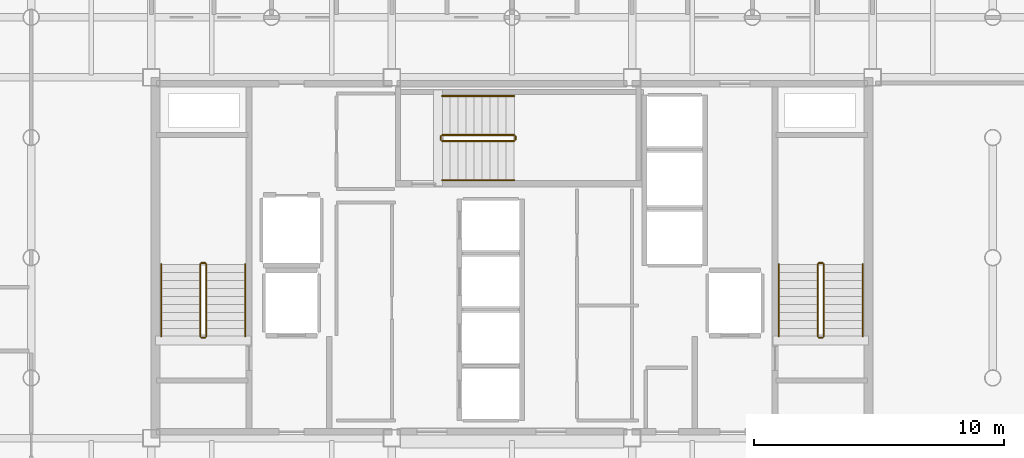
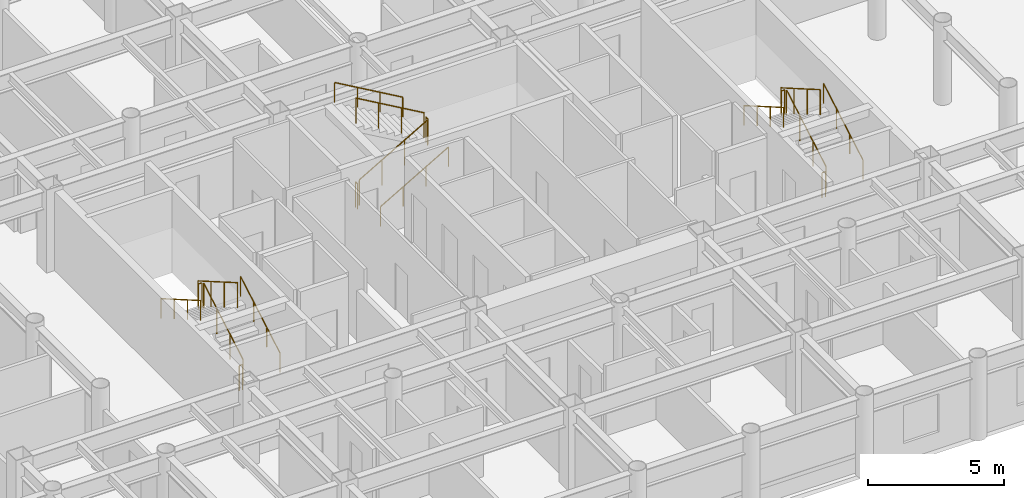
# One storey, part 20 of 20: 18 railings.
"""IFC4 building model written with IfcOpenShell, lengths in metres."""

from ifc_helpers import new_model, si_unit, direction, frame, origin, origin_2d, place, context, subcontext, project, spatial, circle, extrude, material, layer, layer_set, type_object, element, save


model = new_model("IFC4")

# Units and contexts
model_context = context("Model", 3, precision=1e-05, world=origin(), true_north=direction((0.0, 1.0)))
body_context = subcontext(model_context, "Body", "Model", "MODEL_VIEW")
ifc_project = project(units=[si_unit("LENGTHUNIT", "METRE"), si_unit("AREAUNIT", "SQUARE_METRE"), si_unit("VOLUMEUNIT", "CUBIC_METRE"), si_unit("PLANEANGLEUNIT", "RADIAN"), si_unit("MASSUNIT", "GRAM", prefix="KILO")], contexts=[model_context])

# Site, building, storey
site_placement = place(None, origin())
site = spatial("IfcSite", under=ifc_project, at=site_placement, CompositionType="ELEMENT")
building_placement = place(site_placement, origin())
building = spatial("IfcBuilding", under=site, at=building_placement, Name="Kallvorn Hotel Tower", CompositionType="ELEMENT")
storey_placement = place(building_placement, frame((0.0, 0.0, 132.199951171875)))
storey = spatial("IfcBuildingStorey", under=building, at=storey_placement, Name="L32", CompositionType="ELEMENT", Elevation=132.199951171875)

# Railings
ifc_material_1 = material(Name="Brushed stainless-steel tubular railing", Category="steel")
ifc_layer_1 = layer(ifc_material_1, 0.050048828125)
ifc_layer_set_1 = layer_set([ifc_layer_1], Name="RL_STAIR_GUARD")
railing_type_1 = type_object("IfcRailingType", Name="RL_STAIR_GUARD", PredefinedType="GUARDRAIL", material=ifc_layer_set_1)
railing_1_placement = place(storey_placement, frame((-12.2099609375, -3.139892578125, 0.18505859375)))
element("IfcRailing", 1, at=railing_1_placement, inside=storey, type_object=railing_type_1, Name="L32 ST1 stair guard 1", PredefinedType="GUARDRAIL", context=body_context, shape_type="SweptSolid", body=[
    extrude(circle(Radius=0.02392578125, at=origin_2d()), frame((0.0, 0.0, 1.1259765625), z_axis=(0.0, 0.865720918037, 0.500527014328), x_axis=(-1.0, 0.0, 0.0)), (0.0, 0.0, 1.0), 3.32666015625),
    extrude(circle(Radius=0.02099609375, at=origin_2d()), origin(), (0.0, 0.0, 1.0), 1.101806640625),
    extrude(circle(Radius=0.02099609375, at=origin_2d()), frame((0.0, 0.9599609375, 0.554931640625)), (0.0, 0.0, 1.0), 1.101806640625),
    extrude(circle(Radius=0.02099609375, at=origin_2d()), frame((0.0, 1.919921875, 1.110107421875)), (0.0, 0.0, 1.0), 1.101806640625),
    extrude(circle(Radius=0.02099609375, at=origin_2d()), frame((0.0, 2.8798828125, 1.6650390625)), (0.0, 0.0, 1.0), 1.101806640625),
])
railing_2_placement = place(storey_placement, frame((-12.260009765625, -0.2099609375, 1.85009765625)))
element("IfcRailing", 2, at=railing_2_placement, inside=storey, type_object=railing_type_1, Name="L32 ST1 stair guard 2", PredefinedType="GUARDRAIL", context=body_context, shape_type="SweptSolid", body=[
    extrude(circle(Radius=0.02392578125, at=origin_2d()), frame((0.0, 0.0, 1.1259765625), z_axis=(-1.0, 0.0, 0.0), x_axis=(0.0, -1.0, 0.0)), (0.0, 0.0, 1.0), 0.139892578125),
    extrude(circle(Radius=0.02099609375, at=origin_2d()), origin(), (0.0, 0.0, 1.0), 1.101806640625),
    extrude(circle(Radius=0.02099609375, at=origin_2d()), frame((-0.139892578125, 0.0, 0.0)), (0.0, 0.0, 1.0), 1.101806640625),
])
railing_3_placement = place(storey_placement, frame((-12.449951171875, -0.260009765625, 2.03515625)))
element("IfcRailing", 3, at=railing_3_placement, inside=storey, type_object=railing_type_1, Name="L32 ST1 stair guard 3", PredefinedType="GUARDRAIL", context=body_context, shape_type="SweptSolid", body=[
    extrude(circle(Radius=0.02392578125, at=origin_2d()), frame((0.0, 0.0, 1.1259765625), z_axis=(0.0, -0.86575271903, 0.500472006703), x_axis=(1.0, 0.0, 0.0)), (0.0, 0.0, 1.0), 3.326416015625),
    extrude(circle(Radius=0.02099609375, at=origin_2d()), origin(), (0.0, 0.0, 1.0), 1.101806640625),
    extrude(circle(Radius=0.02099609375, at=origin_2d()), frame((0.0, -0.9599609375, 0.554931640625)), (0.0, 0.0, 1.0), 1.101806640625),
    extrude(circle(Radius=0.02099609375, at=origin_2d()), frame((0.0, -1.919921875, 1.10986328125)), (0.0, 0.0, 1.0), 1.101806640625),
    extrude(circle(Radius=0.02099609375, at=origin_2d()), frame((0.0, -2.8798828125, 1.664794921875)), (0.0, 0.0, 1.0), 1.101806640625),
])
railing_4_placement = place(storey_placement, frame((-12.260009765625, -3.18994140625, 0.0)))
element("IfcRailing", 4, at=railing_4_placement, inside=storey, type_object=railing_type_1, Name="L32 ST1 stair guard 4", PredefinedType="GUARDRAIL", context=body_context, shape_type="SweptSolid", body=[
    extrude(circle(Radius=0.02392578125, at=origin_2d()), frame((0.0, 0.0, 1.1259765625), z_axis=(-1.0, 0.0, 0.0), x_axis=(0.0, -1.0, 0.0)), (0.0, 0.0, 1.0), 0.139892578125),
    extrude(circle(Radius=0.02099609375, at=origin_2d()), origin(), (0.0, 0.0, 1.0), 1.101806640625),
    extrude(circle(Radius=0.02099609375, at=origin_2d()), frame((-0.139892578125, 0.0, 0.0)), (0.0, 0.0, 1.0), 1.101806640625),
])
railing_5_placement = place(storey_placement, frame((12.449951171875, -3.139892578125, 0.18505859375)))
element("IfcRailing", 5, at=railing_5_placement, inside=storey, type_object=railing_type_1, Name="L32 ST2 stair guard 1", PredefinedType="GUARDRAIL", context=body_context, shape_type="SweptSolid", body=[
    extrude(circle(Radius=0.02392578125, at=origin_2d()), frame((0.0, 0.0, 1.1259765625), z_axis=(0.0, 0.865720918037, 0.500527014328), x_axis=(-1.0, 0.0, 0.0)), (0.0, 0.0, 1.0), 3.32666015625),
    extrude(circle(Radius=0.02099609375, at=origin_2d()), origin(), (0.0, 0.0, 1.0), 1.101806640625),
    extrude(circle(Radius=0.02099609375, at=origin_2d()), frame((0.0, 0.9599609375, 0.554931640625)), (0.0, 0.0, 1.0), 1.101806640625),
    extrude(circle(Radius=0.02099609375, at=origin_2d()), frame((0.0, 1.919921875, 1.110107421875)), (0.0, 0.0, 1.0), 1.101806640625),
    extrude(circle(Radius=0.02099609375, at=origin_2d()), frame((0.0, 2.8798828125, 1.6650390625)), (0.0, 0.0, 1.0), 1.101806640625),
])
railing_6_placement = place(storey_placement, frame((12.39990234375, -0.2099609375, 1.85009765625)))
element("IfcRailing", 6, at=railing_6_placement, inside=storey, type_object=railing_type_1, Name="L32 ST2 stair guard 2", PredefinedType="GUARDRAIL", context=body_context, shape_type="SweptSolid", body=[
    extrude(circle(Radius=0.02392578125, at=origin_2d()), frame((0.0, 0.0, 1.1259765625), z_axis=(-1.0, 0.0, 0.0), x_axis=(0.0, -1.0, 0.0)), (0.0, 0.0, 1.0), 0.139892578125),
    extrude(circle(Radius=0.02099609375, at=origin_2d()), origin(), (0.0, 0.0, 1.0), 1.101806640625),
    extrude(circle(Radius=0.02099609375, at=origin_2d()), frame((-0.139892578125, 0.0, 0.0)), (0.0, 0.0, 1.0), 1.101806640625),
])
railing_7_placement = place(storey_placement, frame((12.2099609375, -0.260009765625, 2.03515625)))
element("IfcRailing", 7, at=railing_7_placement, inside=storey, type_object=railing_type_1, Name="L32 ST2 stair guard 3", PredefinedType="GUARDRAIL", context=body_context, shape_type="SweptSolid", body=[
    extrude(circle(Radius=0.02392578125, at=origin_2d()), frame((0.0, 0.0, 1.1259765625), z_axis=(0.0, -0.86575271903, 0.500472006703), x_axis=(1.0, 0.0, 0.0)), (0.0, 0.0, 1.0), 3.326416015625),
    extrude(circle(Radius=0.02099609375, at=origin_2d()), origin(), (0.0, 0.0, 1.0), 1.101806640625),
    extrude(circle(Radius=0.02099609375, at=origin_2d()), frame((0.0, -0.9599609375, 0.554931640625)), (0.0, 0.0, 1.0), 1.101806640625),
    extrude(circle(Radius=0.02099609375, at=origin_2d()), frame((0.0, -1.919921875, 1.10986328125)), (0.0, 0.0, 1.0), 1.101806640625),
    extrude(circle(Radius=0.02099609375, at=origin_2d()), frame((0.0, -2.8798828125, 1.664794921875)), (0.0, 0.0, 1.0), 1.101806640625),
])
railing_8_placement = place(storey_placement, frame((12.39990234375, -3.18994140625, 0.0)))
element("IfcRailing", 8, at=railing_8_placement, inside=storey, type_object=railing_type_1, Name="L32 ST2 stair guard 4", PredefinedType="GUARDRAIL", context=body_context, shape_type="SweptSolid", body=[
    extrude(circle(Radius=0.02392578125, at=origin_2d()), frame((0.0, 0.0, 1.1259765625), z_axis=(-1.0, 0.0, 0.0), x_axis=(0.0, -1.0, 0.0)), (0.0, 0.0, 1.0), 0.139892578125),
    extrude(circle(Radius=0.02099609375, at=origin_2d()), origin(), (0.0, 0.0, 1.0), 1.101806640625),
    extrude(circle(Radius=0.02099609375, at=origin_2d()), frame((-0.139892578125, 0.0, 0.0)), (0.0, 0.0, 1.0), 1.101806640625),
])
railing_9_placement = place(storey_placement, frame((-2.7900390625, 4.659912109375, 0.18505859375)))
element("IfcRailing", 9, at=railing_9_placement, inside=storey, type_object=railing_type_1, Name="L32 ST3 stair guard 1", PredefinedType="GUARDRAIL", context=body_context, shape_type="SweptSolid", body=[
    extrude(circle(Radius=0.02392578125, at=origin_2d()), frame((0.0, 0.0, 1.1259765625), z_axis=(0.865739302748, 0.0, 0.50049521444), x_axis=(0.0, 1.0, 0.0)), (0.0, 0.0, 1.0), 3.326904296875),
    extrude(circle(Radius=0.02099609375, at=origin_2d()), origin(), (0.0, 0.0, 1.0), 1.101806640625),
    extrude(circle(Radius=0.02099609375, at=origin_2d()), frame((0.9599609375, 0.0, 0.554931640625)), (0.0, 0.0, 1.0), 1.101806640625),
    extrude(circle(Radius=0.02099609375, at=origin_2d()), frame((1.920166015625, 0.0, 1.110107421875)), (0.0, 0.0, 1.0), 1.101806640625),
    extrude(circle(Radius=0.02099609375, at=origin_2d()), frame((2.880126953125, 0.0, 1.6650390625)), (0.0, 0.0, 1.0), 1.101806640625),
])
railing_10_placement = place(storey_placement, frame((0.139892578125, 4.7099609375, 1.85009765625)))
element("IfcRailing", 10, at=railing_10_placement, inside=storey, type_object=railing_type_1, Name="L32 ST3 stair guard 2", PredefinedType="GUARDRAIL", context=body_context, shape_type="SweptSolid", body=[
    extrude(circle(Radius=0.02392578125, at=origin_2d()), frame((0.0, 0.0, 1.1259765625), z_axis=(0.0, 1.0, 0.0), x_axis=(-1.0, 0.0, 0.0)), (0.0, 0.0, 1.0), 0.14013671875),
    extrude(circle(Radius=0.02099609375, at=origin_2d()), origin(), (0.0, 0.0, 1.0), 1.101806640625),
    extrude(circle(Radius=0.02099609375, at=origin_2d()), frame((0.0, 0.14013671875, 0.0)), (0.0, 0.0, 1.0), 1.101806640625),
])
railing_11_placement = place(storey_placement, frame((0.090087890625, 4.89990234375, 2.03515625)))
element("IfcRailing", 11, at=railing_11_placement, inside=storey, type_object=railing_type_1, Name="L32 ST3 stair guard 3", PredefinedType="GUARDRAIL", context=body_context, shape_type="SweptSolid", body=[
    extrude(circle(Radius=0.02392578125, at=origin_2d()), frame((0.0, 0.0, 1.1259765625), z_axis=(-0.865771100375, 0.0, 0.500440207973), x_axis=(0.0, -1.0, 0.0)), (0.0, 0.0, 1.0), 3.32666015625),
    extrude(circle(Radius=0.02099609375, at=origin_2d()), origin(), (0.0, 0.0, 1.0), 1.101806640625),
    extrude(circle(Radius=0.02099609375, at=origin_2d()), frame((-0.9599609375, 0.0, 0.554931640625)), (0.0, 0.0, 1.0), 1.101806640625),
    extrude(circle(Radius=0.02099609375, at=origin_2d()), frame((-1.920166015625, 0.0, 1.10986328125)), (0.0, 0.0, 1.0), 1.101806640625),
    extrude(circle(Radius=0.02099609375, at=origin_2d()), frame((-2.880126953125, 0.0, 1.664794921875)), (0.0, 0.0, 1.0), 1.101806640625),
])
railing_12_placement = place(storey_placement, frame((-2.840087890625, 4.7099609375, 0.0)))
element("IfcRailing", 12, at=railing_12_placement, inside=storey, type_object=railing_type_1, Name="L32 ST3 stair guard 4", PredefinedType="GUARDRAIL", context=body_context, shape_type="SweptSolid", body=[
    extrude(circle(Radius=0.02392578125, at=origin_2d()), frame((0.0, 0.0, 1.1259765625), z_axis=(0.0, 1.0, 0.0), x_axis=(-1.0, 0.0, 0.0)), (0.0, 0.0, 1.0), 0.14013671875),
    extrude(circle(Radius=0.02099609375, at=origin_2d()), origin(), (0.0, 0.0, 1.0), 1.101806640625),
    extrude(circle(Radius=0.02099609375, at=origin_2d()), frame((0.0, 0.14013671875, 0.0)), (0.0, 0.0, 1.0), 1.101806640625),
])
ifc_material_2 = material(Name="Brushed stainless-steel tubular railing", Category="steel")
ifc_layer_2 = layer(ifc_material_2, 0.050048828125)
ifc_layer_set_2 = layer_set([ifc_layer_2], Name="RL_STAIR_HAND")
railing_type_2 = type_object("IfcRailingType", Name="RL_STAIR_HAND", PredefinedType="HANDRAIL", material=ifc_layer_set_2)
railing_13_placement = place(storey_placement, frame((-10.64990234375, -3.139892578125, 0.18505859375)))
element("IfcRailing", 13, at=railing_13_placement, inside=storey, type_object=railing_type_2, Name="L32 ST1 stair handrail 1", PredefinedType="HANDRAIL", context=body_context, shape_type="SweptSolid", body=[
    extrude(circle(Radius=0.02392578125, at=origin_2d()), frame((0.0, 0.0, 0.8759765625), z_axis=(0.0, 0.865720918037, 0.500527014328), x_axis=(-1.0, 0.0, 0.0)), (0.0, 0.0, 1.0), 3.32666015625),
    extrude(circle(Radius=0.02099609375, at=origin_2d()), origin(), (0.0, 0.0, 1.0), 0.851806640625),
    extrude(circle(Radius=0.02099609375, at=origin_2d()), frame((0.0, 0.9599609375, 0.554931640625)), (0.0, 0.0, 1.0), 0.851806640625),
    extrude(circle(Radius=0.02099609375, at=origin_2d()), frame((0.0, 1.919921875, 1.110107421875)), (0.0, 0.0, 1.0), 0.851806640625),
    extrude(circle(Radius=0.02099609375, at=origin_2d()), frame((0.0, 2.8798828125, 1.6650390625)), (0.0, 0.0, 1.0), 0.851806640625),
])
railing_14_placement = place(storey_placement, frame((-14.010009765625, -0.260009765625, 2.03515625)))
element("IfcRailing", 14, at=railing_14_placement, inside=storey, type_object=railing_type_2, Name="L32 ST1 stair handrail 2", PredefinedType="HANDRAIL", context=body_context, shape_type="SweptSolid", body=[
    extrude(circle(Radius=0.02392578125, at=origin_2d()), frame((0.0, 0.0, 0.8759765625), z_axis=(0.0, -0.86575271903, 0.500472006703), x_axis=(1.0, 0.0, 0.0)), (0.0, 0.0, 1.0), 3.326416015625),
    extrude(circle(Radius=0.02099609375, at=origin_2d()), origin(), (0.0, 0.0, 1.0), 0.851806640625),
    extrude(circle(Radius=0.02099609375, at=origin_2d()), frame((0.0, -0.9599609375, 0.554931640625)), (0.0, 0.0, 1.0), 0.851806640625),
    extrude(circle(Radius=0.02099609375, at=origin_2d()), frame((0.0, -1.919921875, 1.10986328125)), (0.0, 0.0, 1.0), 0.851806640625),
    extrude(circle(Radius=0.02099609375, at=origin_2d()), frame((0.0, -2.8798828125, 1.664794921875)), (0.0, 0.0, 1.0), 0.851806640625),
])
railing_15_placement = place(storey_placement, frame((14.010009765625, -3.139892578125, 0.18505859375)))
element("IfcRailing", 15, at=railing_15_placement, inside=storey, type_object=railing_type_2, Name="L32 ST2 stair handrail 1", PredefinedType="HANDRAIL", context=body_context, shape_type="SweptSolid", body=[
    extrude(circle(Radius=0.02392578125, at=origin_2d()), frame((0.0, 0.0, 0.8759765625), z_axis=(0.0, 0.865720918037, 0.500527014328), x_axis=(-1.0, 0.0, 0.0)), (0.0, 0.0, 1.0), 3.32666015625),
    extrude(circle(Radius=0.02099609375, at=origin_2d()), origin(), (0.0, 0.0, 1.0), 0.851806640625),
    extrude(circle(Radius=0.02099609375, at=origin_2d()), frame((0.0, 0.9599609375, 0.554931640625)), (0.0, 0.0, 1.0), 0.851806640625),
    extrude(circle(Radius=0.02099609375, at=origin_2d()), frame((0.0, 1.919921875, 1.110107421875)), (0.0, 0.0, 1.0), 0.851806640625),
    extrude(circle(Radius=0.02099609375, at=origin_2d()), frame((0.0, 2.8798828125, 1.6650390625)), (0.0, 0.0, 1.0), 0.851806640625),
])
railing_16_placement = place(storey_placement, frame((10.64990234375, -0.260009765625, 2.03515625)))
element("IfcRailing", 16, at=railing_16_placement, inside=storey, type_object=railing_type_2, Name="L32 ST2 stair handrail 2", PredefinedType="HANDRAIL", context=body_context, shape_type="SweptSolid", body=[
    extrude(circle(Radius=0.02392578125, at=origin_2d()), frame((0.0, 0.0, 0.8759765625), z_axis=(0.0, -0.86575271903, 0.500472006703), x_axis=(1.0, 0.0, 0.0)), (0.0, 0.0, 1.0), 3.326416015625),
    extrude(circle(Radius=0.02099609375, at=origin_2d()), origin(), (0.0, 0.0, 1.0), 0.851806640625),
    extrude(circle(Radius=0.02099609375, at=origin_2d()), frame((0.0, -0.9599609375, 0.554931640625)), (0.0, 0.0, 1.0), 0.851806640625),
    extrude(circle(Radius=0.02099609375, at=origin_2d()), frame((0.0, -1.919921875, 1.10986328125)), (0.0, 0.0, 1.0), 0.851806640625),
    extrude(circle(Radius=0.02099609375, at=origin_2d()), frame((0.0, -2.8798828125, 1.664794921875)), (0.0, 0.0, 1.0), 0.851806640625),
])
railing_17_placement = place(storey_placement, frame((-2.7900390625, 3.10009765625, 0.18505859375)))
element("IfcRailing", 17, at=railing_17_placement, inside=storey, type_object=railing_type_2, Name="L32 ST3 stair handrail 1", PredefinedType="HANDRAIL", context=body_context, shape_type="SweptSolid", body=[
    extrude(circle(Radius=0.02392578125, at=origin_2d()), frame((0.0, 0.0, 0.8759765625), z_axis=(0.865739302748, 0.0, 0.50049521444), x_axis=(0.0, 1.0, 0.0)), (0.0, 0.0, 1.0), 3.326904296875),
    extrude(circle(Radius=0.02099609375, at=origin_2d()), origin(), (0.0, 0.0, 1.0), 0.851806640625),
    extrude(circle(Radius=0.02099609375, at=origin_2d()), frame((0.9599609375, 0.0, 0.554931640625)), (0.0, 0.0, 1.0), 0.851806640625),
    extrude(circle(Radius=0.02099609375, at=origin_2d()), frame((1.920166015625, 0.0, 1.110107421875)), (0.0, 0.0, 1.0), 0.851806640625),
    extrude(circle(Radius=0.02099609375, at=origin_2d()), frame((2.880126953125, 0.0, 1.6650390625)), (0.0, 0.0, 1.0), 0.851806640625),
])
railing_18_placement = place(storey_placement, frame((0.090087890625, 6.4599609375, 2.03515625)))
element("IfcRailing", 18, at=railing_18_placement, inside=storey, type_object=railing_type_2, Name="L32 ST3 stair handrail 2", PredefinedType="HANDRAIL", context=body_context, shape_type="SweptSolid", body=[
    extrude(circle(Radius=0.02392578125, at=origin_2d()), frame((0.0, 0.0, 0.8759765625), z_axis=(-0.865771100375, 0.0, 0.500440207973), x_axis=(0.0, -1.0, 0.0)), (0.0, 0.0, 1.0), 3.32666015625),
    extrude(circle(Radius=0.02099609375, at=origin_2d()), origin(), (0.0, 0.0, 1.0), 0.851806640625),
    extrude(circle(Radius=0.02099609375, at=origin_2d()), frame((-0.9599609375, 0.0, 0.554931640625)), (0.0, 0.0, 1.0), 0.851806640625),
    extrude(circle(Radius=0.02099609375, at=origin_2d()), frame((-1.920166015625, 0.0, 1.10986328125)), (0.0, 0.0, 1.0), 0.851806640625),
    extrude(circle(Radius=0.02099609375, at=origin_2d()), frame((-2.880126953125, 0.0, 1.664794921875)), (0.0, 0.0, 1.0), 0.851806640625),
])

save(model, "model.ifc")
